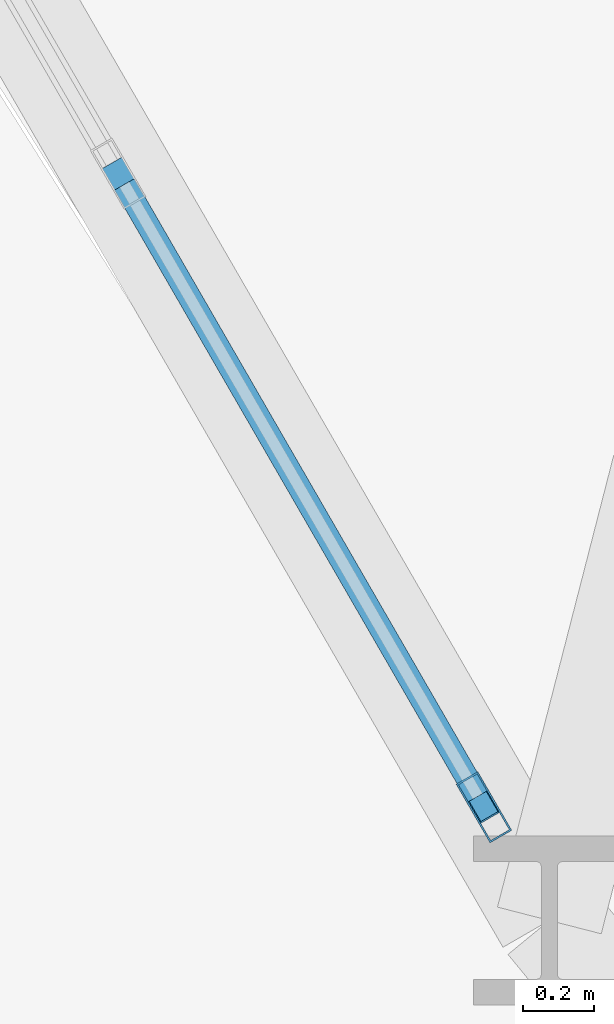
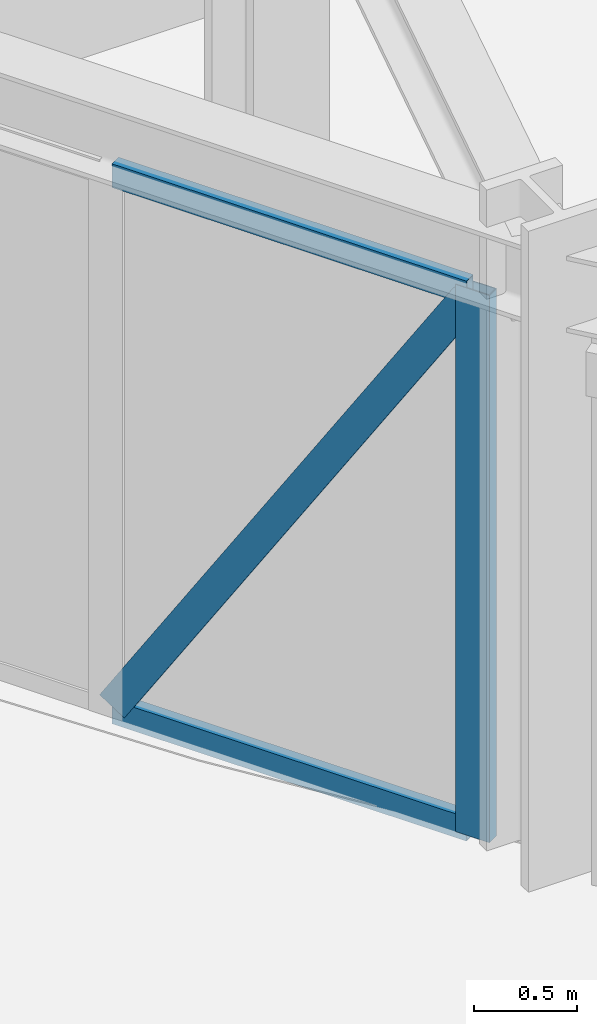
# One storey, part 2 of 21: 4 members, 1 element without a shape of its own.
"""IFC4 building model written with IfcOpenShell, lengths in metres."""

from ifc_helpers import new_model, si_unit, derived_unit, direction, frame, origin, origin_2d, place, context, subcontext, project, spatial, hollow_rectangle, extrude, source, transform, mapped, material, layer, layer_set, material_profile, profile_set, type_object, element, aggregate, save


model = new_model("IFC4")

# Units and contexts
model_context = context("Model", 3, precision=1e-05, world=origin(), true_north=direction((0.0, 1.0)))
body_context = subcontext(model_context, "Body", "Model", "MODEL_VIEW")
ifc_project = project(units=[si_unit("LENGTHUNIT", "METRE"), si_unit("AREAUNIT", "SQUARE_METRE"), si_unit("VOLUMEUNIT", "CUBIC_METRE"), si_unit("PLANEANGLEUNIT", "RADIAN"), si_unit("MASSUNIT", "GRAM", prefix="KILO"), derived_unit("THERMALTRANSMITTANCEUNIT", [(si_unit("POWERUNIT", "WATT"), 1), (si_unit("LENGTHUNIT", "METRE"), -2), (si_unit("THERMODYNAMICTEMPERATUREUNIT", "KELVIN"), -1)])], contexts=[model_context])

# Site, building, storey
site_placement = place(None, origin())
site = spatial("IfcSite", under=ifc_project, at=site_placement, CompositionType="ELEMENT")
building_placement = place(site_placement, origin())
building = spatial("IfcBuilding", under=site, at=building_placement, Name="Korsvarv Bourse and Concert Hall", CompositionType="ELEMENT")
storey_placement = place(building_placement, frame((0.0, 0.0, 63.89990234375)))
storey = spatial("IfcBuildingStorey", under=building, at=storey_placement, Name="L15", CompositionType="ELEMENT", Elevation=63.89990234375)

# Curtain wall, members
ifc_material_1 = material(Name="Anodised aluminium and triple low-E glazing", Category="glass")
ifc_layer = layer(ifc_material_1, 0.219970703125)
ifc_layer_set = layer_set([ifc_layer], Name="Anodised aluminium and triple low-E glazing")
curtain_wall_type = type_object("IfcCurtainWallType", Name="CW-SYS-1", PredefinedType="NOTDEFINED", material=ifc_layer_set)
curtain_wall_placement = place(storey_placement, origin())
curtain_wall = element("IfcCurtainWall", 1, at=curtain_wall_placement, inside=storey, type_object=curtain_wall_type, Name="L15 CW1 curtain wall CW-L15-F07", PredefinedType="NOTDEFINED")
ifc_material_2 = material(Name="Extruded aluminium EN AW-6063 T66", Category="aluminium")
ifc_material_profile_1 = material_profile(ifc_material_2, hollow_rectangle(XDim=0.070068359375, YDim=0.18994140625, WallThickness=0.0048828125, at=origin_2d()), Name="ALU-M 70x190")
ifc_profile_set_1 = profile_set([ifc_material_profile_1], Name="Extruded aluminium EN AW-6063 T66")
member_type_1 = type_object("IfcMemberType", Name="CWM-190", PredefinedType="MULLION", material=ifc_profile_set_1)
shared_shape_1 = source(origin(), body_context, "Body", "SweptSolid", [
    extrude(hollow_rectangle(XDim=0.070068359375, YDim=0.18994140625, WallThickness=0.0048828125, at=origin_2d()), origin(), (0.0, 0.0, 1.0), 3.22998046875),
])
member_1_placement = place(storey_placement, frame((26.183349609375, 19.52392578125, 0.0), z_axis=(0.0, 0.0, 1.0), x_axis=(0.86602191759, 0.500006038217, 0.0)))
member_1 = element("IfcMember", 2, at=member_1_placement, type_object=member_type_1, Name="CW1 mullion 8", PredefinedType="MULLION", context=body_context, shape_type="MappedRepresentation", body=[
    mapped(shared_shape_1, transform((0.0, 0.0, 0.0), scale=1.0)),
])
ifc_material_profile_2 = material_profile(ifc_material_2, hollow_rectangle(XDim=0.06494140625, YDim=0.139892578125, WallThickness=0.00390625, at=origin_2d()), Name="ALU-T 65x140")
ifc_profile_set_2 = profile_set([ifc_material_profile_2], Name="Extruded aluminium EN AW-6063 T66")
member_type_2 = type_object("IfcMemberType", Name="CWT-140", PredefinedType="USERDEFINED", material=ifc_profile_set_2)
shared_shape_2 = source(origin(), body_context, "Body", "SweptSolid", [
    extrude(hollow_rectangle(XDim=0.06494140625, YDim=0.139892578125, WallThickness=0.00390625, at=origin_2d()), origin(), (0.0, 0.0, 1.0), 1.979248046875),
])
member_2_placement = place(storey_placement, frame((25.17626953125, 21.2685546875, 0.03271484375), z_axis=(0.500039200885, -0.86600276996, 0.0), x_axis=(0.86600276996, 0.500039200885, 0.0)))
member_2 = element("IfcMember", 3, at=member_2_placement, type_object=member_type_2, Name="CW1 transom 7.1", ObjectType="TRANSOM", PredefinedType="USERDEFINED", context=body_context, shape_type="MappedRepresentation", body=[
    mapped(shared_shape_2, transform((0.0, 0.0, 0.0), scale=1.0)),
])
member_3_placement = place(storey_placement, frame((25.17626953125, 21.2685546875, 3.197509765625), z_axis=(0.500039200885, -0.86600276996, 0.0), x_axis=(0.86600276996, 0.500039200885, 0.0)))
member_3 = element("IfcMember", 4, at=member_3_placement, type_object=member_type_2, Name="CW1 transom 7.2", ObjectType="TRANSOM", PredefinedType="USERDEFINED", context=body_context, shape_type="MappedRepresentation", body=[
    mapped(shared_shape_2, transform((0.0, 0.0, 0.0), scale=1.0)),
])
ifc_material_profile_3 = material_profile(ifc_material_2, hollow_rectangle(XDim=0.06494140625, YDim=0.1650390625, WallThickness=0.0048828125, at=origin_2d()), Name="ALU-M 65x165")
ifc_profile_set_3 = profile_set([ifc_material_profile_3], Name="Extruded aluminium EN AW-6063 T66")
member_type_3 = type_object("IfcMemberType", Name="CWM-165", PredefinedType="MULLION", material=ifc_profile_set_3)
shared_shape_3 = source(origin(), body_context, "Body", "SweptSolid", [
    extrude(hollow_rectangle(XDim=0.06494140625, YDim=0.1650390625, WallThickness=0.0048828125, at=origin_2d()), origin(), (0.0, 0.0, 1.0), 3.677978515625),
])
member_4_placement = place(storey_placement, frame((25.17626953125, 21.2685546875, 0.065185546875), z_axis=(0.269107120812, -0.466058484268, 0.842835005662), x_axis=(0.86600276996, 0.500039200885, 0.0)))
member_4 = element("IfcMember", 5, at=member_4_placement, type_object=member_type_3, Name="CW1 diagonal mullion 7", PredefinedType="MULLION", context=body_context, shape_type="MappedRepresentation", body=[
    mapped(shared_shape_3, transform((0.0, 0.0, 0.0), scale=1.0)),
])
aggregate(curtain_wall, [member_1, member_2, member_3, member_4])

save(model, "model.ifc")
